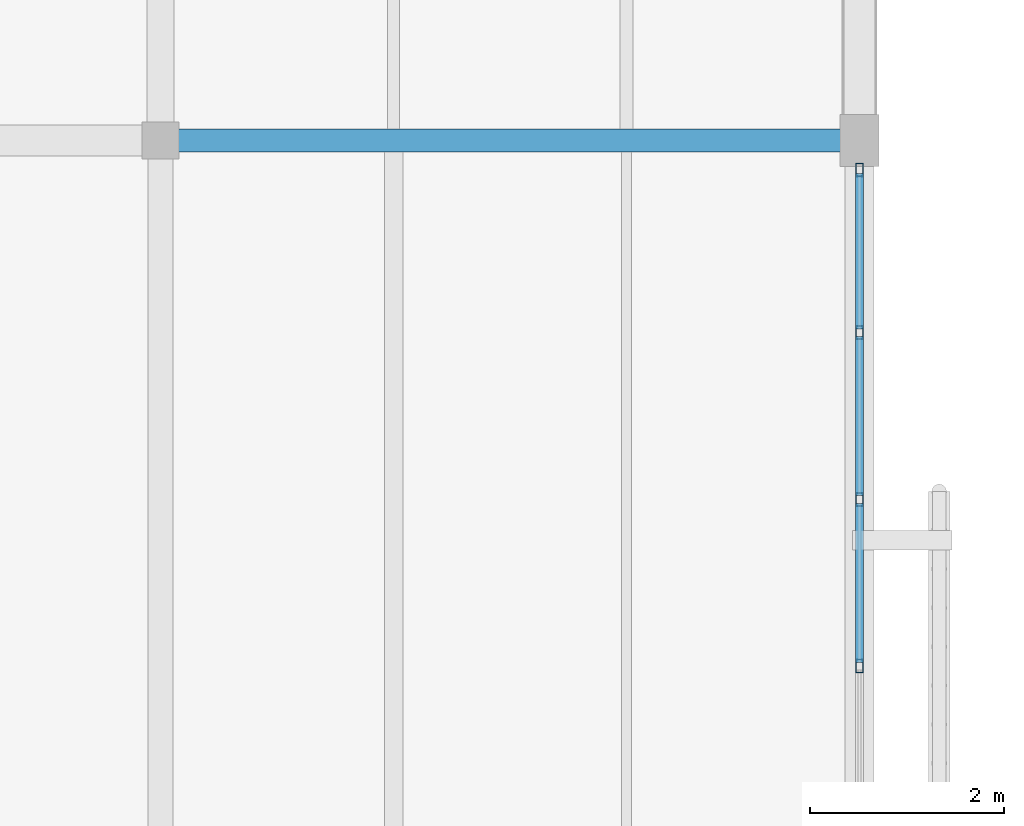
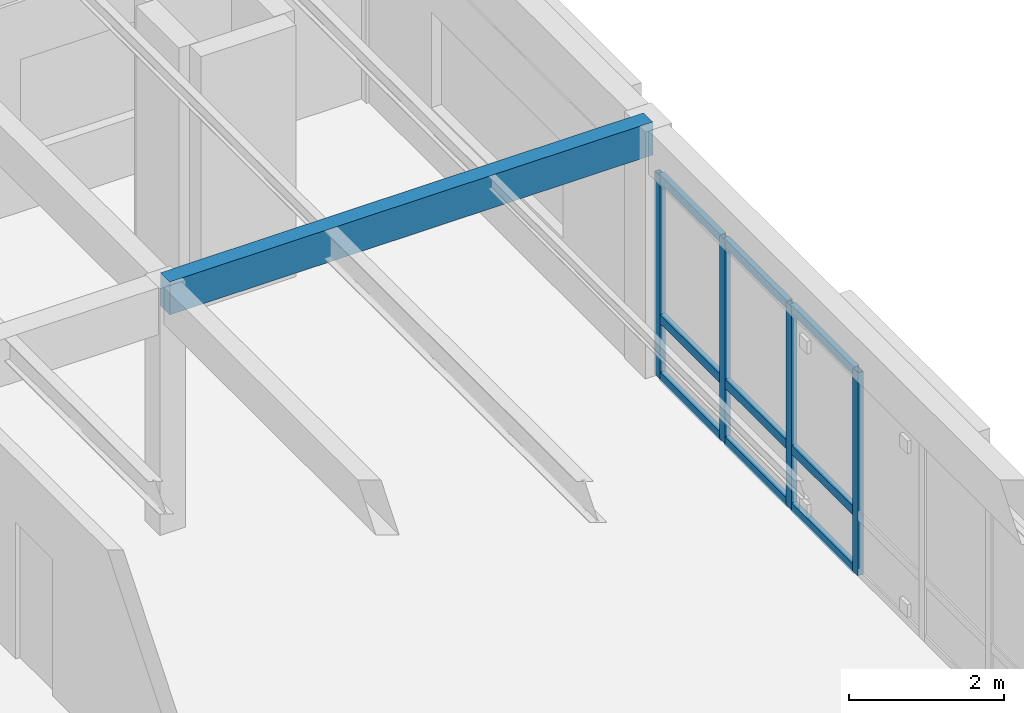
# One storey, part 66 of 217: 13 members, 1 beam, 1 element without a shape of its own.
"""IFC4 building model written with IfcOpenShell, lengths in metres."""

from ifc_helpers import new_model, si_unit, direction, frame, origin, origin_2d, place, context, subcontext, project, spatial, rectangle, hollow_rectangle, extrude, material, layer, layer_set, material_profile, profile_set, type_object, element, aggregate, save


model = new_model("IFC4")

# Units and contexts
model_context = context("Model", 3, precision=1e-05, world=origin(), true_north=direction((0.0, 1.0)))
body_context = subcontext(model_context, "Body", "Model", "MODEL_VIEW")
ifc_project = project(units=[si_unit("LENGTHUNIT", "METRE"), si_unit("AREAUNIT", "SQUARE_METRE"), si_unit("VOLUMEUNIT", "CUBIC_METRE"), si_unit("PLANEANGLEUNIT", "RADIAN"), si_unit("MASSUNIT", "GRAM", prefix="KILO")], contexts=[model_context])

# Site, building, storey
site_placement = place(None, origin())
site = spatial("IfcSite", under=ifc_project, at=site_placement, CompositionType="ELEMENT")
building_placement = place(site_placement, origin())
building = spatial("IfcBuilding", under=site, at=building_placement, Name="Mazaris Harbour Polytechnic", CompositionType="ELEMENT")
storey_placement = place(building_placement, frame((0.0, 0.0, 9.60009765625)))
storey = spatial("IfcBuildingStorey", under=building, at=storey_placement, Name="L02", CompositionType="ELEMENT", Elevation=9.60009765625)

# Curtain wall, members
ifc_material_1 = material(Name="Anodised Bronze Aluminium and Low-E Glass", Category="aluminium")
ifc_layer = layer(ifc_material_1, 0.159912109375, Name="Anodised Bronze Aluminium and Low-E Glass")
ifc_layer_set = layer_set([ifc_layer], Name="Anodised Bronze Aluminium and Low-E Glass")
curtain_wall_type = type_object("IfcCurtainWallType", Name="Cloister Court Curtain Wall", PredefinedType="NOTDEFINED", material=ifc_layer_set)
curtain_wall_placement = place(storey_placement, origin())
curtain_wall = element("IfcCurtainWall", 1, at=curtain_wall_placement, inside=storey, type_object=curtain_wall_type, Name="V4 L02 Curtain Wall 132", PredefinedType="NOTDEFINED")
ifc_material_2 = material(Name="Anodised Bronze Steel S355", Category="steel")
ifc_material_profile_1 = material_profile(ifc_material_2, hollow_rectangle(XDim=0.080078125, YDim=0.139892578125, WallThickness=0.00634765625, at=origin_2d()), Name="RHS 80x140x6.3")
ifc_profile_set_1 = profile_set([ifc_material_profile_1], Name="Anodised Bronze Steel S355")
member_type_1 = type_object("IfcMemberType", Name="Curtain Mullion RHS80x140", PredefinedType="MULLION", material=ifc_profile_set_1)
member_1_placement = place(storey_placement, frame((43.199951171875, 93.298095703125, 0.0), z_axis=(0.0, 0.0, 1.0), x_axis=(1.0, 0.0, 0.0)))
member_1 = element("IfcMember", 2, at=member_1_placement, type_object=member_type_1, Name="CW-02 mullion 1", PredefinedType="MULLION", context=body_context, shape_type="SweptSolid", body=[
    extrude(hollow_rectangle(XDim=0.080078125, YDim=0.139892578125, WallThickness=0.00634765625, at=origin_2d()), origin(), (0.0, 0.0, 1.0), 3.199951171875),
])
member_2_placement = place(storey_placement, frame((43.199951171875, 91.620361328125, 0.0), z_axis=(0.0, 0.0, 1.0), x_axis=(1.0, 0.0, 0.0)))
member_2 = element("IfcMember", 3, at=member_2_placement, type_object=member_type_1, Name="CW-02 mullion 2", PredefinedType="MULLION", context=body_context, shape_type="SweptSolid", body=[
    extrude(hollow_rectangle(XDim=0.080078125, YDim=0.139892578125, WallThickness=0.00634765625, at=origin_2d()), origin(), (0.0, 0.0, 1.0), 3.199951171875),
])
member_3_placement = place(storey_placement, frame((43.199951171875, 89.902587890625, 0.0), z_axis=(0.0, 0.0, 1.0), x_axis=(1.0, 0.0, 0.0)))
member_3 = element("IfcMember", 4, at=member_3_placement, type_object=member_type_1, Name="CW-02 mullion 3", PredefinedType="MULLION", context=body_context, shape_type="SweptSolid", body=[
    extrude(hollow_rectangle(XDim=0.080078125, YDim=0.139892578125, WallThickness=0.00634765625, at=origin_2d()), origin(), (0.0, 0.0, 1.0), 3.199951171875),
])
member_4_placement = place(storey_placement, frame((43.199951171875, 88.18505859375, 0.0), z_axis=(0.0, 0.0, 1.0), x_axis=(1.0, 0.0, 0.0)))
member_4 = element("IfcMember", 5, at=member_4_placement, type_object=member_type_1, Name="CW-02 mullion 4", PredefinedType="MULLION", context=body_context, shape_type="SweptSolid", body=[
    extrude(hollow_rectangle(XDim=0.080078125, YDim=0.139892578125, WallThickness=0.00634765625, at=origin_2d()), origin(), (0.0, 0.0, 1.0), 3.199951171875),
])
ifc_material_3 = material(Name="Anodised Bronze Steel S355", Category="steel")
ifc_material_profile_2 = material_profile(ifc_material_3, hollow_rectangle(XDim=0.080078125, YDim=0.139892578125, WallThickness=0.00634765625, at=origin_2d()), Name="RHS 80x140x6.3")
ifc_profile_set_2 = profile_set([ifc_material_profile_2], Name="Anodised Bronze Steel S355")
member_type_2 = type_object("IfcMemberType", Name="Curtain Transom RHS80x140", PredefinedType="USERDEFINED", material=ifc_profile_set_2)
member_5_placement = place(storey_placement, frame((43.199951171875, 93.258056640625, 0.039794921875), z_axis=(0.0, -1.0, 0.0), x_axis=(1.0, 0.0, 0.0)))
member_5 = element("IfcMember", 6, at=member_5_placement, type_object=member_type_2, Name="CW-02 transom 1.1", ObjectType="TRANSOM", PredefinedType="USERDEFINED", context=body_context, shape_type="SweptSolid", body=[
    extrude(hollow_rectangle(XDim=0.080078125, YDim=0.139892578125, WallThickness=0.00634765625, at=origin_2d()), origin(), (0.0, 0.0, 1.0), 1.59765625),
])
member_6_placement = place(storey_placement, frame((43.199951171875, 93.258056640625, 0.949951171875), z_axis=(0.0, -1.0, 0.0), x_axis=(1.0, 0.0, 0.0)))
member_6 = element("IfcMember", 7, at=member_6_placement, type_object=member_type_2, Name="CW-02 transom 1.2", ObjectType="TRANSOM", PredefinedType="USERDEFINED", context=body_context, shape_type="SweptSolid", body=[
    extrude(hollow_rectangle(XDim=0.080078125, YDim=0.139892578125, WallThickness=0.00634765625, at=origin_2d()), origin(), (0.0, 0.0, 1.0), 1.59765625),
])
member_7_placement = place(storey_placement, frame((43.199951171875, 93.258056640625, 3.159912109375), z_axis=(0.0, -1.0, 0.0), x_axis=(1.0, 0.0, 0.0)))
member_7 = element("IfcMember", 8, at=member_7_placement, type_object=member_type_2, Name="CW-02 transom 1.3", ObjectType="TRANSOM", PredefinedType="USERDEFINED", context=body_context, shape_type="SweptSolid", body=[
    extrude(hollow_rectangle(XDim=0.080078125, YDim=0.139892578125, WallThickness=0.00634765625, at=origin_2d()), origin(), (0.0, 0.0, 1.0), 1.59765625),
])
member_8_placement = place(storey_placement, frame((43.199951171875, 91.580322265625, 0.039794921875), z_axis=(0.0, -1.0, 0.0), x_axis=(1.0, 0.0, 0.0)))
member_8 = element("IfcMember", 9, at=member_8_placement, type_object=member_type_2, Name="CW-02 transom 2.1", ObjectType="TRANSOM", PredefinedType="USERDEFINED", context=body_context, shape_type="SweptSolid", body=[
    extrude(hollow_rectangle(XDim=0.080078125, YDim=0.139892578125, WallThickness=0.00634765625, at=origin_2d()), origin(), (0.0, 0.0, 1.0), 1.6376953125),
])
member_9_placement = place(storey_placement, frame((43.199951171875, 91.580322265625, 0.949951171875), z_axis=(0.0, -1.0, 0.0), x_axis=(1.0, 0.0, 0.0)))
member_9 = element("IfcMember", 10, at=member_9_placement, type_object=member_type_2, Name="CW-02 transom 2.2", ObjectType="TRANSOM", PredefinedType="USERDEFINED", context=body_context, shape_type="SweptSolid", body=[
    extrude(hollow_rectangle(XDim=0.080078125, YDim=0.139892578125, WallThickness=0.00634765625, at=origin_2d()), origin(), (0.0, 0.0, 1.0), 1.6376953125),
])
member_10_placement = place(storey_placement, frame((43.199951171875, 91.580322265625, 3.159912109375), z_axis=(0.0, -1.0, 0.0), x_axis=(1.0, 0.0, 0.0)))
member_10 = element("IfcMember", 11, at=member_10_placement, type_object=member_type_2, Name="CW-02 transom 2.3", ObjectType="TRANSOM", PredefinedType="USERDEFINED", context=body_context, shape_type="SweptSolid", body=[
    extrude(hollow_rectangle(XDim=0.080078125, YDim=0.139892578125, WallThickness=0.00634765625, at=origin_2d()), origin(), (0.0, 0.0, 1.0), 1.6376953125),
])
member_11_placement = place(storey_placement, frame((43.199951171875, 89.862548828125, 0.039794921875), z_axis=(0.0, -1.0, 0.0), x_axis=(1.0, 0.0, 0.0)))
member_11 = element("IfcMember", 12, at=member_11_placement, type_object=member_type_2, Name="CW-02 transom 3.1", ObjectType="TRANSOM", PredefinedType="USERDEFINED", context=body_context, shape_type="SweptSolid", body=[
    extrude(hollow_rectangle(XDim=0.080078125, YDim=0.139892578125, WallThickness=0.00634765625, at=origin_2d()), origin(), (0.0, 0.0, 1.0), 1.637451171875),
])
member_12_placement = place(storey_placement, frame((43.199951171875, 89.862548828125, 0.949951171875), z_axis=(0.0, -1.0, 0.0), x_axis=(1.0, 0.0, 0.0)))
member_12 = element("IfcMember", 13, at=member_12_placement, type_object=member_type_2, Name="CW-02 transom 3.2", ObjectType="TRANSOM", PredefinedType="USERDEFINED", context=body_context, shape_type="SweptSolid", body=[
    extrude(hollow_rectangle(XDim=0.080078125, YDim=0.139892578125, WallThickness=0.00634765625, at=origin_2d()), origin(), (0.0, 0.0, 1.0), 1.637451171875),
])
member_13_placement = place(storey_placement, frame((43.199951171875, 89.862548828125, 3.159912109375), z_axis=(0.0, -1.0, 0.0), x_axis=(1.0, 0.0, 0.0)))
member_13 = element("IfcMember", 14, at=member_13_placement, type_object=member_type_2, Name="CW-02 transom 3.3", ObjectType="TRANSOM", PredefinedType="USERDEFINED", context=body_context, shape_type="SweptSolid", body=[
    extrude(hollow_rectangle(XDim=0.080078125, YDim=0.139892578125, WallThickness=0.00634765625, at=origin_2d()), origin(), (0.0, 0.0, 1.0), 1.637451171875),
])
aggregate(curtain_wall, [member_1, member_2, member_3, member_4, member_5, member_6, member_7, member_8, member_9, member_10, member_11, member_12, member_13])

# Beam
ifc_material_4 = material(Name="Glulam GL32h", Category="wood")
ifc_material_profile_3 = material_profile(ifc_material_4, rectangle(XDim=0.239990234375, YDim=0.52001953125, at=origin_2d()), Name="RECT240x520")
ifc_profile_set_3 = profile_set([ifc_material_profile_3], Name="Glulam GL32h")
beam_type = type_object("IfcBeamType", Name="Glulam Girder 240x520", PredefinedType="BEAM", material=ifc_profile_set_3)
beam_placement = place(storey_placement, frame((36.0, 93.60009765625, 3.6298828125), z_axis=(1.0, 0.0, 0.0), x_axis=(0.0, 1.0, 0.0)))
element("IfcBeam", 15, at=beam_placement, inside=storey, type_object=beam_type, Name="V4 L02 Girder 1960", PredefinedType="BEAM", context=body_context, shape_type="SweptSolid", body=[
    extrude(rectangle(XDim=0.239990234375, YDim=0.52001953125, at=origin_2d()), origin(), (0.0, 0.0, 1.0), 7.199951171875),
])

save(model, "model.ifc")
